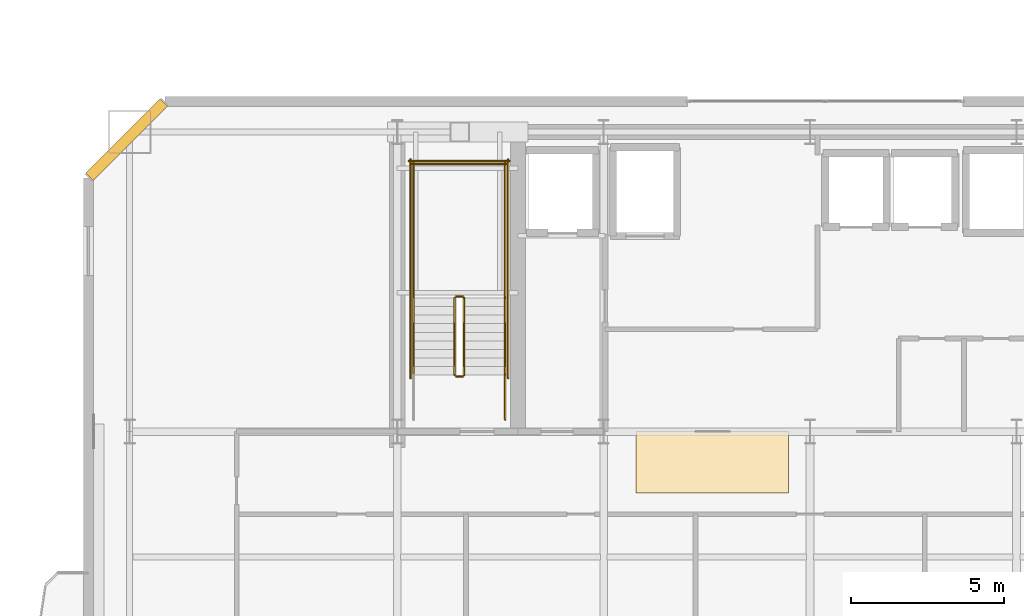
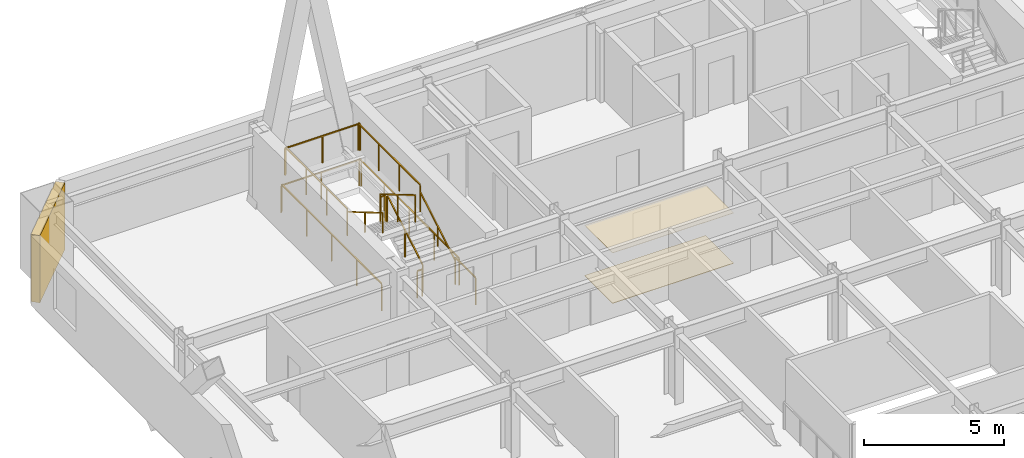
# One storey, part 18 of 22: 13 railings, 2 coverings, 1 shading device.
"""IFC4 building model written with IfcOpenShell, lengths in metres."""

from ifc_helpers import new_model, si_unit, direction, frame, origin, origin_2d, place, context, subcontext, project, spatial, polyline, rectangle, outline, extrude, material, layer, layer_set, type_object, element, save


model = new_model("IFC4")

# Units and contexts
model_context = context("Model", 3, precision=1e-05, world=origin(), true_north=direction((0.0, 1.0)))
body_context = subcontext(model_context, "Body", "Model", "MODEL_VIEW")
ifc_project = project(units=[si_unit("LENGTHUNIT", "METRE"), si_unit("AREAUNIT", "SQUARE_METRE"), si_unit("VOLUMEUNIT", "CUBIC_METRE"), si_unit("PLANEANGLEUNIT", "RADIAN"), si_unit("MASSUNIT", "GRAM", prefix="KILO")], contexts=[model_context])

# Site, building, storey
site_placement = place(None, origin())
site = spatial("IfcSite", under=ifc_project, at=site_placement, CompositionType="ELEMENT")
building_placement = place(site_placement, origin())
building = spatial("IfcBuilding", under=site, at=building_placement, Name="Haevon Station Towers", CompositionType="ELEMENT")
storey_placement = place(building_placement, frame((0.0, 0.0, 93.300048828125)))
storey = spatial("IfcBuildingStorey", under=building, at=storey_placement, Name="L24", CompositionType="ELEMENT", Elevation=93.300048828125)

# Coverings
ifc_material_1 = material(Name="Gypsum acoustic ceiling tile", Category="concrete")
ifc_layer_1 = layer(ifc_material_1, 0.014892578125)
ifc_layer_set_1 = layer_set([ifc_layer_1], Name="Gypsum acoustic ceiling tile")
covering_type_1 = type_object("IfcCoveringType", Name="COV-CEIL15", PredefinedType="CEILING", material=ifc_layer_set_1)
covering_1_placement = place(storey_placement, frame((0.0, 0.0, 2.199951171875)))
element("IfcCovering", 1, at=covering_1_placement, inside=storey, type_object=covering_type_1, Name="L24 Acoustic Corridor Ceiling", PredefinedType="CEILING", context=body_context, shape_type="SweptSolid", body=[
    extrude(outline(polyline([(31.800048828125, 36.199951171875), (36.800048828125, 36.199951171875), (36.800048828125, 38.199951171875), (31.800048828125, 38.199951171875), (31.800048828125, 36.199951171875)])), origin(), (0.0, 0.0, 1.0), 0.014892578125),
])
ifc_material_2 = material(Name="Granite stone paving", Category="masonry")
ifc_layer_2 = layer(ifc_material_2, 0.02001953125)
ifc_layer_set_2 = layer_set([ifc_layer_2], Name="Granite stone paving")
covering_type_2 = type_object("IfcCoveringType", Name="COV-FLR20", PredefinedType="FLOORING", material=ifc_layer_set_2)
covering_2_placement = place(storey_placement, origin())
element("IfcCovering", 2, at=covering_2_placement, inside=storey, type_object=covering_type_2, Name="L24 Corridor Stone Flooring", PredefinedType="FLOORING", context=body_context, shape_type="SweptSolid", body=[
    extrude(outline(polyline([(31.800048828125, 36.199951171875), (36.800048828125, 36.199951171875), (36.800048828125, 38.199951171875), (31.800048828125, 38.199951171875), (31.800048828125, 36.199951171875)])), origin(), (0.0, 0.0, 1.0), 0.02001953125),
])

# Railings
ifc_material_3 = material(Name="Steel S355", Category="steel")
railing_type_1 = type_object("IfcRailingType", Name="GRD-STR1200", PredefinedType="GUARDRAIL", material=ifc_material_3)
railing_1_placement = place(storey_placement, frame((26.179931640625, 40.050048828125, 0.1650390625)))
element("IfcRailing", 3, at=railing_1_placement, inside=storey, type_object=railing_type_1, Name="L24 ST1 Stair Guard 1", PredefinedType="GUARDRAIL", context=body_context, shape_type="SweptSolid", body=[
    extrude(rectangle(XDim=0.048095703125, YDim=0.048095703125, at=origin_2d()), frame((0.0, 0.0, 1.17578125), z_axis=(0.0, 0.861560626758, 0.507654692109), x_axis=(-1.0, 0.0, 0.0)), (0.0, 0.0, 1.0), 2.925048828125),
    extrude(rectangle(XDim=0.0419921875, YDim=0.0419921875, at=origin_2d()), origin(), (0.0, 0.0, 1.0), 1.15185546875),
    extrude(rectangle(XDim=0.0419921875, YDim=0.0419921875, at=origin_2d()), frame((0.0, 1.260009765625, 0.742431640625)), (0.0, 0.0, 1.0), 1.15185546875),
    extrude(rectangle(XDim=0.0419921875, YDim=0.0419921875, at=origin_2d()), frame((0.0, 2.52001953125, 1.48486328125)), (0.0, 0.0, 1.0), 1.15185546875),
])
railing_2_placement = place(storey_placement, frame((26.1298828125, 42.6201171875, 1.64990234375)))
element("IfcRailing", 4, at=railing_2_placement, inside=storey, type_object=railing_type_1, Name="L24 ST1 Stair Guard 2", PredefinedType="GUARDRAIL", context=body_context, shape_type="SweptSolid", body=[
    extrude(rectangle(XDim=0.048095703125, YDim=0.048095703125, at=origin_2d()), frame((0.0, 0.0, 1.17578125), z_axis=(-1.0, 0.0, 0.0), x_axis=(0.0, -1.0, 0.0)), (0.0, 0.0, 1.0), 0.199951171875),
    extrude(rectangle(XDim=0.0419921875, YDim=0.0419921875, at=origin_2d()), origin(), (0.0, 0.0, 1.0), 1.15185546875),
    extrude(rectangle(XDim=0.0419921875, YDim=0.0419921875, at=origin_2d()), frame((-0.199951171875, 0.0, 0.0)), (0.0, 0.0, 1.0), 1.15185546875),
])
for number, where, name in (
    (5, (27.530029296875, 42.570068359375, 1.64990234375), "L24 ST1 Stair Guard 3"),
    (6, (24.530029296875, 42.570068359375, 1.64990234375), "L24 ST1 Stair Guard 4"),
):
    element("IfcRailing", number, at=place(storey_placement, frame(where)), inside=storey, type_object=railing_type_1, Name=name, PredefinedType="GUARDRAIL", context=body_context, shape_type="SweptSolid", body=[
        extrude(rectangle(XDim=0.048095703125, YDim=0.048095703125, at=origin_2d()), frame((0.0, 0.0, 1.17578125), z_axis=(0.0, 1.0, 0.0), x_axis=(-1.0, 0.0, 0.0)), (0.0, 0.0, 1.0), 4.429931640625),
        extrude(rectangle(XDim=0.0419921875, YDim=0.0419921875, at=origin_2d()), origin(), (0.0, 0.0, 1.0), 1.15185546875),
        extrude(rectangle(XDim=0.0419921875, YDim=0.0419921875, at=origin_2d()), frame((0.0, 1.4765625, 0.0)), (0.0, 0.0, 1.0), 1.15185546875),
        extrude(rectangle(XDim=0.0419921875, YDim=0.0419921875, at=origin_2d()), frame((0.0, 2.953369140625, 0.0)), (0.0, 0.0, 1.0), 1.15185546875),
        extrude(rectangle(XDim=0.0419921875, YDim=0.0419921875, at=origin_2d()), frame((0.0, 4.429931640625, 0.0)), (0.0, 0.0, 1.0), 1.15185546875),
    ])
railing_3_placement = place(storey_placement, frame((27.580078125, 46.949951171875, 1.64990234375)))
element("IfcRailing", 7, at=railing_3_placement, inside=storey, type_object=railing_type_1, Name="L24 ST1 Stair Guard 5", PredefinedType="GUARDRAIL", context=body_context, shape_type="SweptSolid", body=[
    extrude(rectangle(XDim=0.048095703125, YDim=0.048095703125, at=origin_2d()), frame((0.0, 0.0, 1.17578125), z_axis=(-1.0, 0.0, 0.0), x_axis=(0.0, -1.0, 0.0)), (0.0, 0.0, 1.0), 3.10009765625),
    extrude(rectangle(XDim=0.0419921875, YDim=0.0419921875, at=origin_2d()), origin(), (0.0, 0.0, 1.0), 1.15185546875),
    extrude(rectangle(XDim=0.0419921875, YDim=0.0419921875, at=origin_2d()), frame((-1.550048828125, 0.0, 0.0)), (0.0, 0.0, 1.0), 1.15185546875),
    extrude(rectangle(XDim=0.0419921875, YDim=0.0419921875, at=origin_2d()), frame((-3.10009765625, 0.0, 0.0)), (0.0, 0.0, 1.0), 1.15185546875),
])
railing_4_placement = place(storey_placement, frame((25.8798828125, 42.570068359375, 1.81494140625)))
element("IfcRailing", 8, at=railing_4_placement, inside=storey, type_object=railing_type_1, Name="L24 ST1 Stair Guard 6", PredefinedType="GUARDRAIL", context=body_context, shape_type="SweptSolid", body=[
    extrude(rectangle(XDim=0.048095703125, YDim=0.048095703125, at=origin_2d()), frame((0.0, 0.0, 1.17578125), z_axis=(0.0, -0.86152411907, 0.507716645641), x_axis=(1.0, 0.0, 0.0)), (0.0, 0.0, 1.0), 2.925048828125),
    extrude(rectangle(XDim=0.0419921875, YDim=0.0419921875, at=origin_2d()), origin(), (0.0, 0.0, 1.0), 1.15185546875),
    extrude(rectangle(XDim=0.0419921875, YDim=0.0419921875, at=origin_2d()), frame((0.0, -1.260009765625, 0.74267578125)), (0.0, 0.0, 1.0), 1.15185546875),
    extrude(rectangle(XDim=0.0419921875, YDim=0.0419921875, at=origin_2d()), frame((0.0, -2.52001953125, 1.485107421875)), (0.0, 0.0, 1.0), 1.15185546875),
])
railing_5_placement = place(storey_placement, frame((26.1298828125, 40.0, 0.0)))
element("IfcRailing", 9, at=railing_5_placement, inside=storey, type_object=railing_type_1, Name="L24 ST1 Stair Guard 7", PredefinedType="GUARDRAIL", context=body_context, shape_type="SweptSolid", body=[
    extrude(rectangle(XDim=0.048095703125, YDim=0.048095703125, at=origin_2d()), frame((0.0, 0.0, 1.17578125), z_axis=(-1.0, 0.0, 0.0), x_axis=(0.0, -1.0, 0.0)), (0.0, 0.0, 1.0), 0.199951171875),
    extrude(rectangle(XDim=0.0419921875, YDim=0.0419921875, at=origin_2d()), origin(), (0.0, 0.0, 1.0), 1.15185546875),
    extrude(rectangle(XDim=0.0419921875, YDim=0.0419921875, at=origin_2d()), frame((-0.199951171875, 0.0, 0.0)), (0.0, 0.0, 1.0), 1.15185546875),
])
railing_6_placement = place(storey_placement, frame((27.530029296875, 38.60009765625, 0.0)))
element("IfcRailing", 10, at=railing_6_placement, inside=storey, type_object=railing_type_1, Name="L24 ST1 Stair Guard 8", PredefinedType="GUARDRAIL", context=body_context, shape_type="SweptSolid", body=[
    extrude(rectangle(XDim=0.048095703125, YDim=0.048095703125, at=origin_2d()), frame((0.0, 0.0, 1.17578125), z_axis=(0.0, 1.0, 0.0), x_axis=(-1.0, 0.0, 0.0)), (0.0, 0.0, 1.0), 1.449951171875),
    extrude(rectangle(XDim=0.0419921875, YDim=0.0419921875, at=origin_2d()), origin(), (0.0, 0.0, 1.0), 1.15185546875),
    extrude(rectangle(XDim=0.0419921875, YDim=0.0419921875, at=origin_2d()), frame((0.0, 1.449951171875, 0.0)), (0.0, 0.0, 1.0), 1.15185546875),
])
for number, where, name in (
    (11, (27.6298828125, 39.949951171875, 0.0), "L24 ST1 Stair Guard 10"),
    (12, (24.429931640625, 39.949951171875, 0.0), "L24 ST1 Stair Guard 11"),
):
    element("IfcRailing", number, at=place(storey_placement, frame(where)), inside=storey, type_object=railing_type_1, Name=name, PredefinedType="GUARDRAIL", context=body_context, shape_type="SweptSolid", body=[
        extrude(rectangle(XDim=0.048095703125, YDim=0.048095703125, at=origin_2d()), frame((0.0, 0.0, 1.17578125), z_axis=(0.0, 1.0, 0.0), x_axis=(-1.0, 0.0, 0.0)), (0.0, 0.0, 1.0), 7.150146484375),
        extrude(rectangle(XDim=0.0419921875, YDim=0.0419921875, at=origin_2d()), origin(), (0.0, 0.0, 1.0), 1.15185546875),
        extrude(rectangle(XDim=0.0419921875, YDim=0.0419921875, at=origin_2d()), frame((0.0, 1.78759765625, 0.0)), (0.0, 0.0, 1.0), 1.15185546875),
        extrude(rectangle(XDim=0.0419921875, YDim=0.0419921875, at=origin_2d()), frame((0.0, 3.5751953125, 0.0)), (0.0, 0.0, 1.0), 1.15185546875),
        extrude(rectangle(XDim=0.0419921875, YDim=0.0419921875, at=origin_2d()), frame((0.0, 5.362548828125, 0.0)), (0.0, 0.0, 1.0), 1.15185546875),
        extrude(rectangle(XDim=0.0419921875, YDim=0.0419921875, at=origin_2d()), frame((0.0, 7.150146484375, 0.0)), (0.0, 0.0, 1.0), 1.15185546875),
    ])
railing_7_placement = place(storey_placement, frame((27.679931640625, 47.050048828125, 0.0)))
element("IfcRailing", 13, at=railing_7_placement, inside=storey, type_object=railing_type_1, Name="L24 ST1 Stair Guard 12", PredefinedType="GUARDRAIL", context=body_context, shape_type="SweptSolid", body=[
    extrude(rectangle(XDim=0.048095703125, YDim=0.048095703125, at=origin_2d()), frame((0.0, 0.0, 1.17578125), z_axis=(-1.0, 0.0, 0.0), x_axis=(0.0, -1.0, 0.0)), (0.0, 0.0, 1.0), 3.300048828125),
    extrude(rectangle(XDim=0.0419921875, YDim=0.0419921875, at=origin_2d()), origin(), (0.0, 0.0, 1.0), 1.15185546875),
    extrude(rectangle(XDim=0.0419921875, YDim=0.0419921875, at=origin_2d()), frame((-1.64990234375, 0.0, 0.0)), (0.0, 0.0, 1.0), 1.15185546875),
    extrude(rectangle(XDim=0.0419921875, YDim=0.0419921875, at=origin_2d()), frame((-3.300048828125, 0.0, 0.0)), (0.0, 0.0, 1.0), 1.15185546875),
])
railing_type_2 = type_object("IfcRailingType", Name="HND-STR900", PredefinedType="HANDRAIL", material=ifc_material_3)
railing_8_placement = place(storey_placement, frame((27.530029296875, 40.050048828125, 0.1650390625)))
element("IfcRailing", 14, at=railing_8_placement, inside=storey, type_object=railing_type_2, Name="L24 ST1 Stair Handrail 1", PredefinedType="HANDRAIL", context=body_context, shape_type="SweptSolid", body=[
    extrude(rectangle(XDim=0.048095703125, YDim=0.048095703125, at=origin_2d()), frame((0.0, 0.0, 0.8759765625), z_axis=(0.0, 0.861560626758, 0.507654692109), x_axis=(-1.0, 0.0, 0.0)), (0.0, 0.0, 1.0), 2.925048828125),
    extrude(rectangle(XDim=0.0419921875, YDim=0.0419921875, at=origin_2d()), origin(), (0.0, 0.0, 1.0), 0.851806640625),
    extrude(rectangle(XDim=0.0419921875, YDim=0.0419921875, at=origin_2d()), frame((0.0, 1.260009765625, 0.742431640625)), (0.0, 0.0, 1.0), 0.851806640625),
    extrude(rectangle(XDim=0.0419921875, YDim=0.0419921875, at=origin_2d()), frame((0.0, 2.52001953125, 1.48486328125)), (0.0, 0.0, 1.0), 0.851806640625),
])
railing_9_placement = place(storey_placement, frame((24.530029296875, 42.570068359375, 1.81494140625)))
element("IfcRailing", 15, at=railing_9_placement, inside=storey, type_object=railing_type_2, Name="L24 ST1 Stair Handrail 2", PredefinedType="HANDRAIL", context=body_context, shape_type="SweptSolid", body=[
    extrude(rectangle(XDim=0.048095703125, YDim=0.048095703125, at=origin_2d()), frame((0.0, 0.0, 0.8759765625), z_axis=(0.0, -0.86152411907, 0.507716645641), x_axis=(1.0, 0.0, 0.0)), (0.0, 0.0, 1.0), 2.925048828125),
    extrude(rectangle(XDim=0.0419921875, YDim=0.0419921875, at=origin_2d()), origin(), (0.0, 0.0, 1.0), 0.851806640625),
    extrude(rectangle(XDim=0.0419921875, YDim=0.0419921875, at=origin_2d()), frame((0.0, -1.260009765625, 0.74267578125)), (0.0, 0.0, 1.0), 0.851806640625),
    extrude(rectangle(XDim=0.0419921875, YDim=0.0419921875, at=origin_2d()), frame((0.0, -2.52001953125, 1.485107421875)), (0.0, 0.0, 1.0), 0.851806640625),
])

# Shading device
ifc_material_4 = material(Name="Anodised aluminium 6063-T6", Category="aluminium")
ifc_layer_3 = layer(ifc_material_4, 0.139892578125)
ifc_layer_set_3 = layer_set([ifc_layer_3], Name="Anodised aluminium 6063-T6")
shading_device_type = type_object("IfcShadingDeviceType", Name="SHD-WIND-BAFFLE", PredefinedType="SHUTTER", material=ifc_layer_set_3)
shading_device_placement = place(storey_placement, frame((15.14990234375, 47.75, 0.0498046875), z_axis=(0.0, 0.0, 1.0), x_axis=(0.707106781187, 0.707106781187, 0.0)))
element("IfcShadingDevice", 16, at=shading_device_placement, inside=storey, type_object=shading_device_type, Name="Tower 1 L24 Wind-Corner Aerofoil Baffle NWC", PredefinedType="SHUTTER", context=body_context, shape_type="SweptSolid", body=[
    extrude(rectangle(XDim=3.435546875, YDim=0.340087890625, at=origin_2d()), origin(), (0.0, 0.0, 1.0), 2.929931640625),
])

save(model, "model.ifc")
